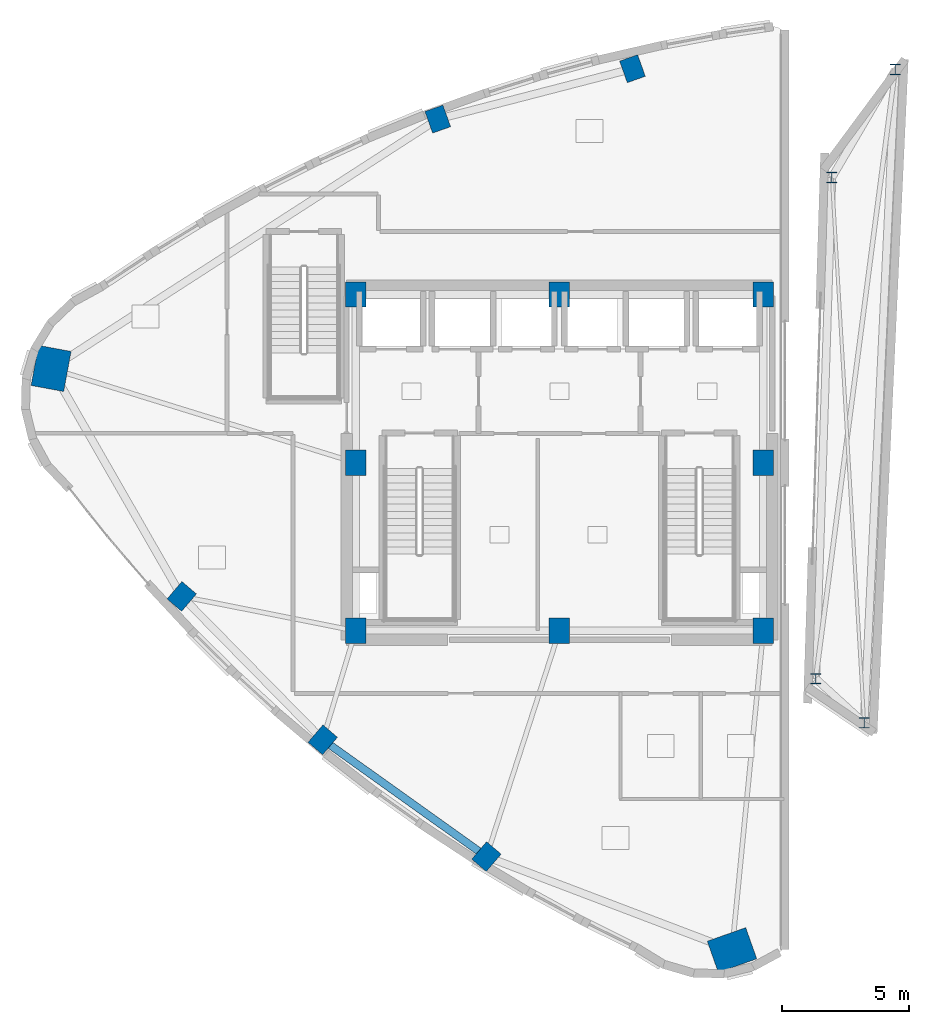
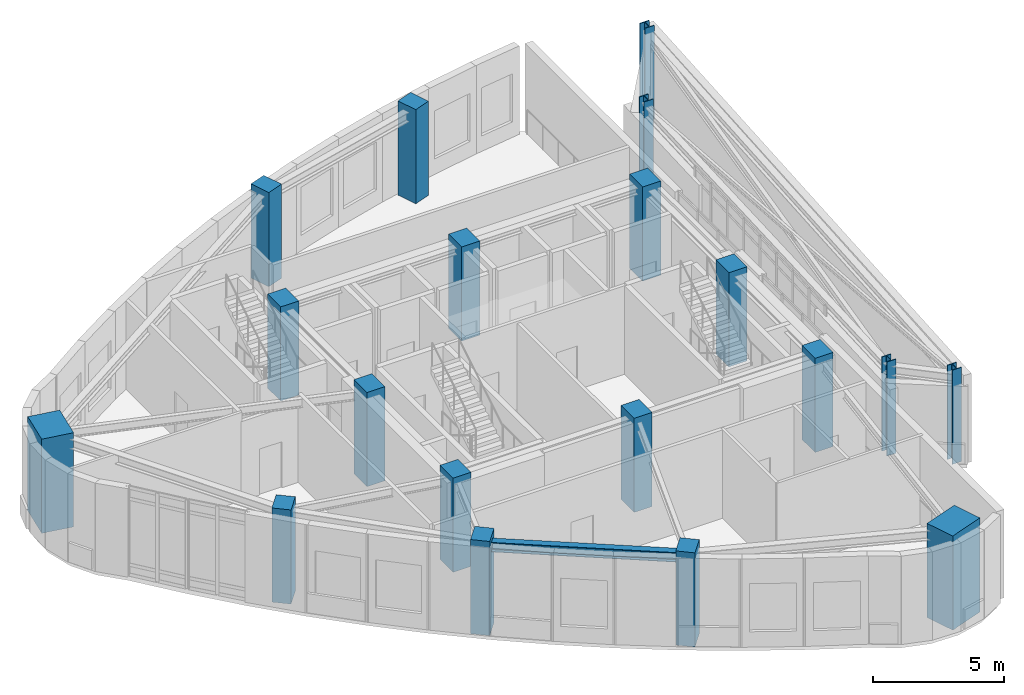
# One storey, part 1 of 19: 19 columns, 1 beam.
"""IFC4 building model written with IfcOpenShell, lengths in metres."""

from ifc_helpers import new_model, si_unit, direction, frame, origin, origin_2d, place, context, subcontext, project, spatial, rectangle, i_section, extrude, material, material_profile, profile_set, type_object, element, save


model = new_model("IFC4")

# Units and contexts
model_context = context("Model", 3, precision=1e-05, world=origin(), true_north=direction((0.0, 1.0)))
body_context = subcontext(model_context, "Body", "Model", "MODEL_VIEW")
ifc_project = project(units=[si_unit("LENGTHUNIT", "METRE"), si_unit("AREAUNIT", "SQUARE_METRE"), si_unit("VOLUMEUNIT", "CUBIC_METRE"), si_unit("PLANEANGLEUNIT", "RADIAN"), si_unit("MASSUNIT", "GRAM", prefix="KILO")], contexts=[model_context])

# Site, building, storey
site_placement = place(None, origin())
site = spatial("IfcSite", under=ifc_project, at=site_placement, CompositionType="ELEMENT")
building_placement = place(site_placement, origin())
building = spatial("IfcBuilding", under=site, at=building_placement, Name="Ndelora Gate Hotel", CompositionType="ELEMENT")
storey_placement = place(building_placement, frame((0.0, 0.0, 294.800048828125)))
storey = spatial("IfcBuildingStorey", under=building, at=storey_placement, Name="L73", CompositionType="ELEMENT", Elevation=294.800048828125)

# Columns
ifc_material_1 = material(Name="Concrete C50/60", Category="concrete")
ifc_material_profile_1 = material_profile(ifc_material_1, rectangle(XDim=0.800048828125, YDim=1.0, at=origin_2d()), Name="RC 1000x800")
ifc_profile_set_1 = profile_set([ifc_material_profile_1], Name="Concrete C50/60")
column_type_1 = type_object("IfcColumnType", Name="COL-CC-HI", PredefinedType="COLUMN", material=ifc_profile_set_1)
for number, where, z_axis, x_axis, name in (
    (1, (-8.0, -6.60009765625, 0.0), (0.0, 0.0, 1.0), (1.0, 0.0, 0.0), "L73 Core Column CC1"),
    (2, (0.0, -6.60009765625, 0.0), (0.0, 0.0, 1.0), (1.0, 0.0, 0.0), "L73 Core Column CC2"),
    (3, (8.0, -6.60009765625, 0.0), (0.0, 0.0, 1.0), (1.0, 0.0, 0.0), "L73 Core Column CC3"),
    (4, (8.0, 0.0, 0.0), (0.0, 0.0, 1.0), (1.0, 0.0, 0.0), "L73 Core Column CC4"),
    (5, (8.0, 6.60009765625, 0.0), (0.0, 0.0, 1.0), (1.0, 0.0, 0.0), "L73 Core Column CC5"),
    (6, (0.0, 6.60009765625, 0.0), (0.0, 0.0, 1.0), (1.0, 0.0, 0.0), "L73 Core Column CC6"),
    (7, (-8.0, 6.60009765625, 0.0), (0.0, 0.0, 1.0), (1.0, 0.0, 0.0), "L73 Core Column CC7"),
    (8, (-8.0, 0.0, 0.0), (0.0, 0.0, 1.0), (1.0, 0.0, 0.0), "L73 Core Column CC8"),
):
    element("IfcColumn", number, at=place(storey_placement, frame(where, z_axis=z_axis, x_axis=x_axis)), inside=storey, type_object=column_type_1, Name=name, PredefinedType="COLUMN", context=body_context, shape_type="SweptSolid", body=[
        extrude(rectangle(XDim=0.800048828125, YDim=1.0, at=origin_2d()), origin(), (0.0, 0.0, 1.0), 4.39990234375),
    ])
ifc_material_profile_2 = material_profile(ifc_material_1, rectangle(XDim=1.300048828125, YDim=1.60009765625, at=origin_2d()), Name="RC 1600x1300")
ifc_profile_set_2 = profile_set([ifc_material_profile_2], Name="Concrete C50/60")
column_type_2 = type_object("IfcColumnType", Name="COL-MC-Z4", PredefinedType="COLUMN", material=ifc_profile_set_2)
for number, where, z_axis, x_axis, name in (
    (9, (-19.949951171875, 3.697509765625, 0.0), (0.0, 0.0, 1.0), (-0.983254907564, 0.182235525492, 0.0), "L73 Corner Mega-Column R1"),
    (10, (6.772705078125, -19.1259765625, 0.0), (0.0, 0.0, 1.0), (-0.333806859234, 0.942641491092, 0.0), "L73 Corner Mega-Column R5"),
):
    element("IfcColumn", number, at=place(storey_placement, frame(where, z_axis=z_axis, x_axis=x_axis)), inside=storey, type_object=column_type_2, Name=name, PredefinedType="COLUMN", context=body_context, shape_type="SweptSolid", body=[
        extrude(rectangle(XDim=1.300048828125, YDim=1.60009765625, at=origin_2d()), origin(), (0.0, 0.0, 1.0), 4.39990234375),
    ])
ifc_material_profile_3 = material_profile(ifc_material_1, rectangle(XDim=0.75, YDim=0.89990234375, at=origin_2d()), Name="RC 900x750")
ifc_profile_set_3 = profile_set([ifc_material_profile_3], Name="Concrete C50/60")
column_type_3 = type_object("IfcColumnType", Name="COL-PT-Z4", PredefinedType="COLUMN", material=ifc_profile_set_3)
for number, where, z_axis, x_axis, name in (
    (11, (-14.822509765625, -5.248779296875, 0.0), (0.0, 0.0, 1.0), (-0.7604059656, 0.64944804833, 0.0), "L73 Perimeter Tube Column R2"),
    (12, (-9.2890625, -10.876220703125, 0.0), (0.0, 0.0, 1.0), (-0.7604059656, 0.64944804833, 0.0), "L73 Perimeter Tube Column R3"),
    (13, (-2.865478515625, -15.461181640625, 0.0), (0.0, 0.0, 1.0), (-0.7604059656, 0.64944804833, 0.0), "L73 Perimeter Tube Column R4"),
    (14, (2.865478515625, 15.461181640625, 0.0), (0.0, 0.0, 1.0), (0.942641491092, 0.333806859234, 0.0), "L73 Perimeter Tube Column R10"),
    (15, (-4.7744140625, 13.482666015625, 0.0), (0.0, 0.0, 1.0), (0.942641491092, 0.333806859234, 0.0), "L73 Perimeter Tube Column R11"),
):
    element("IfcColumn", number, at=place(storey_placement, frame(where, z_axis=z_axis, x_axis=x_axis)), inside=storey, type_object=column_type_3, Name=name, PredefinedType="COLUMN", context=body_context, shape_type="SweptSolid", body=[
        extrude(rectangle(XDim=0.75, YDim=0.89990234375, at=origin_2d()), origin(), (0.0, 0.0, 1.0), 4.39990234375),
    ])
ifc_material_2 = material(Name="Steel S460", Category="steel")
ifc_material_profile_4 = material_profile(ifc_material_2, i_section(OverallWidth=0.406005859375, OverallDepth=0.416015625, WebThickness=0.021484375, FlangeThickness=0.034423828125, FilletRadius=0.014892578125, at=origin_2d()), Name="HD 400x382")
ifc_profile_set_4 = profile_set([ifc_material_profile_4], Name="Steel S460")
column_type_4 = type_object("IfcColumnType", Name="COL-STL-CRN2", PredefinedType="COLUMN", material=ifc_profile_set_4)
for number, where, z_axis, x_axis, name in (
    (16, (10.0576171875, -8.478271484375, 0.0), (0.0, 0.0, 1.0), (1.0, 0.0, 0.0), "L73 East Crown Peak Column EP-1"),
    (17, (11.956787109375, -10.212158203125, 0.0), (0.0, 0.0, 1.0), (1.0, 0.0, 0.0), "L73 East Crown Peak Column EP-2"),
    (18, (13.177001953125, 15.428466796875, 0.0), (0.0, 0.0, 1.0), (1.0, 0.0, 0.0), "L73 East Crown Peak Column EP-3"),
    (19, (10.692138671875, 11.19091796875, 0.0), (0.0, 0.0, 1.0), (1.0, 0.0, 0.0), "L73 East Crown Peak Column EP-4"),
):
    element("IfcColumn", number, at=place(storey_placement, frame(where, z_axis=z_axis, x_axis=x_axis)), inside=storey, type_object=column_type_4, Name=name, PredefinedType="COLUMN", context=body_context, shape_type="SweptSolid", body=[
        extrude(i_section(OverallWidth=0.406005859375, OverallDepth=0.416015625, WebThickness=0.021484375, FlangeThickness=0.034423828125, FilletRadius=0.014892578125, at=origin_2d()), origin(), (0.0, 0.0, 1.0), 4.39990234375),
    ])

# Beam
ifc_material_3 = material(Name="Steel S355", Category="steel")
ifc_material_profile_5 = material_profile(ifc_material_3, i_section(OverallWidth=0.300048828125, OverallDepth=0.449951171875, WebThickness=0.013916015625, FlangeThickness=0.02587890625, FilletRadius=0.027099609375, at=origin_2d()), Name="HEB 450")
ifc_profile_set_5 = profile_set([ifc_material_profile_5], Name="Steel S355")
beam_type = type_object("IfcBeamType", Name="BM-RING-450", PredefinedType="SPANDREL", material=ifc_profile_set_5)
beam_placement = place(storey_placement, frame((-9.2890625, -10.876220703125, 3.905029296875), z_axis=(0.813931993272, -0.580960162428, 0.0), x_axis=(0.580960162428, 0.813931993272, 0.0)))
element("IfcBeam", 20, at=beam_placement, inside=storey, type_object=beam_type, Name="L73 structural beam RB-5", PredefinedType="SPANDREL", context=body_context, shape_type="SweptSolid", body=[
    extrude(i_section(OverallWidth=0.300048828125, OverallDepth=0.449951171875, WebThickness=0.013916015625, FlangeThickness=0.02587890625, FilletRadius=0.027099609375, at=origin_2d()), origin(), (0.0, 0.0, 1.0), 7.89208984375),
])

save(model, "model.ifc")
